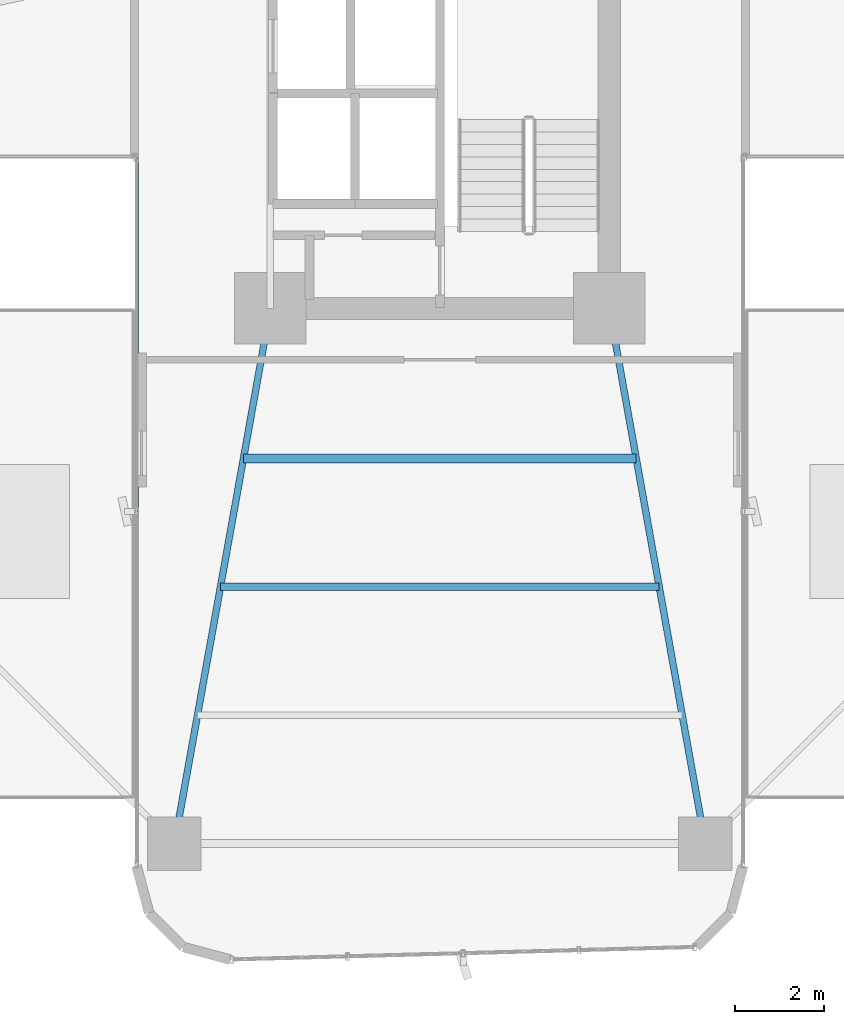
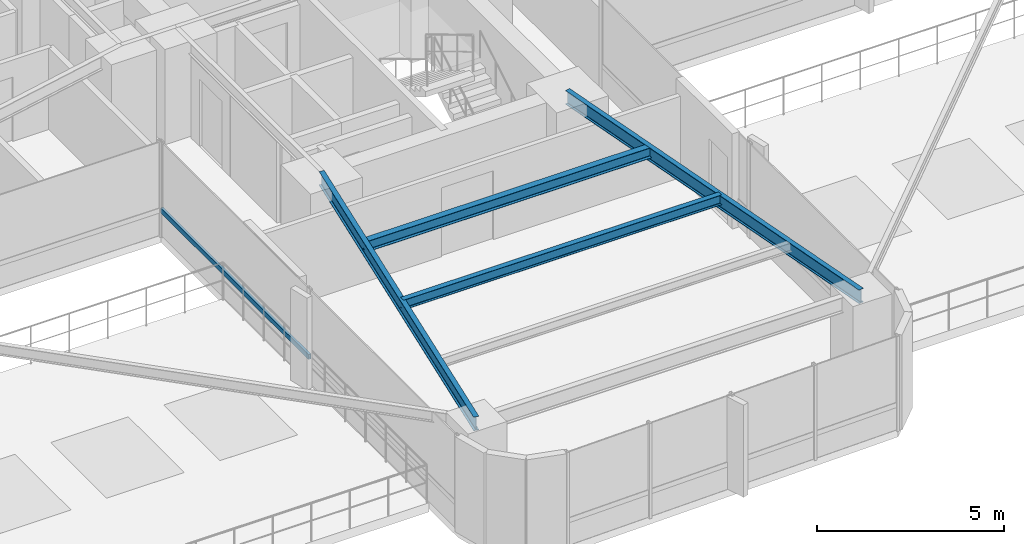
# One storey, part 3 of 27: 4 beams, 1 member, 1 element without a shape of its own.
"""IFC4 building model written with IfcOpenShell, lengths in metres."""

from ifc_helpers import new_model, si_unit, direction, frame, origin, origin_2d, place, context, subcontext, project, spatial, hollow_rectangle, i_section, extrude, source, transform, mapped, material, material_profile, profile_set, type_object, element, aggregate, save


model = new_model("IFC4")

# Units and contexts
model_context = context("Model", 3, precision=1e-05, world=origin(), true_north=direction((0.0, 1.0)))
body_context = subcontext(model_context, "Body", "Model", "MODEL_VIEW")
ifc_project = project(units=[si_unit("LENGTHUNIT", "METRE"), si_unit("AREAUNIT", "SQUARE_METRE"), si_unit("VOLUMEUNIT", "CUBIC_METRE"), si_unit("PLANEANGLEUNIT", "RADIAN"), si_unit("MASSUNIT", "GRAM", prefix="KILO")], contexts=[model_context])

# Site, building, storey
site_placement = place(None, origin())
site = spatial("IfcSite", under=ifc_project, at=site_placement, CompositionType="ELEMENT")
building_placement = place(site_placement, origin())
building = spatial("IfcBuilding", under=site, at=building_placement, Name="Sahyath Konkavel Grand Hotel", CompositionType="ELEMENT")
storey_placement = place(building_placement, frame((0.0, 0.0, 23.10009765625)))
storey = spatial("IfcBuildingStorey", under=building, at=storey_placement, Name="L05", CompositionType="ELEMENT", Elevation=23.10009765625)

# Beams
ifc_material_1 = material(Name="Steel E350", Category="steel")
ifc_material_profile_1 = material_profile(ifc_material_1, i_section(OverallWidth=0.14990234375, OverallDepth=0.449951171875, WebThickness=0.009521484375, FlangeThickness=0.017333984375, FilletRadius=0.014892578125, at=origin_2d()), Name="ISMB 450")
ifc_profile_set_1 = profile_set([ifc_material_profile_1], Name="Steel E350")
beam_type_1 = type_object("IfcBeamType", Name="BM-ISMB450", PredefinedType="BEAM", material=ifc_profile_set_1)
shared_shape_1 = source(origin(), body_context, "Body", "SweptSolid", [
    extrude(i_section(OverallWidth=0.14990234375, OverallDepth=0.449951171875, WebThickness=0.009521484375, FlangeThickness=0.017333984375, FilletRadius=0.014892578125, at=origin_2d()), origin(), (0.0, 0.0, 1.0), 12.191162109375),
])
for number, where, z_axis, x_axis, name in (
    (1, (-3.800048828125, -10.199951171875, 2.885009765625), (-0.176350650305, -0.984327409014, 0.0), (0.984327409014, -0.176350650305, 0.0), "L05 Cruciform Radial Girder SA"),
    (2, (3.800048828125, -10.199951171875, 2.885009765625), (0.176350650305, -0.984327409014, 0.0), (0.984327409014, 0.176350650305, 0.0), "L05 Cruciform Radial Girder SB"),
):
    element("IfcBeam", number, at=place(storey_placement, frame(where, z_axis=z_axis, x_axis=x_axis)), inside=storey, type_object=beam_type_1, Name=name, PredefinedType="BEAM", context=body_context, shape_type="MappedRepresentation", body=[
        mapped(shared_shape_1, transform((0.0, 0.0, 0.0), scale=1.0)),
    ])
ifc_material_profile_2 = material_profile(ifc_material_1, i_section(OverallWidth=0.199951171875, OverallDepth=0.35009765625, WebThickness=0.008056640625, FlangeThickness=0.011474609375, FilletRadius=0.013916015625, at=origin_2d()), Name="ISWB 350")
ifc_profile_set_2 = profile_set([ifc_material_profile_2], Name="Steel E350")
beam_type_2 = type_object("IfcBeamType", Name="BM-ISWB350", PredefinedType="BEAM", material=ifc_profile_set_2)
shared_shape_2 = source(origin(), body_context, "Body", "SweptSolid", [
    extrude(i_section(OverallWidth=0.199951171875, OverallDepth=0.35009765625, WebThickness=0.008056640625, FlangeThickness=0.011474609375, FilletRadius=0.013916015625, at=origin_2d()), origin(), (0.0, 0.0, 1.0), 8.80419921875),
])
beam_1_placement = place(storey_placement, frame((-4.402099609375, -13.56005859375, 2.934814453125), z_axis=(1.0, 0.0, 0.0), x_axis=(0.0, 1.0, 0.0)))
element("IfcBeam", 3, at=beam_1_placement, inside=storey, type_object=beam_type_2, Name="L05 Secondary Floor Beam S-1", PredefinedType="BEAM", context=body_context, shape_type="MappedRepresentation", body=[
    mapped(shared_shape_2, transform((0.0, 0.0, 0.0), scale=1.0)),
])
ifc_material_profile_3 = material_profile(ifc_material_1, i_section(OverallWidth=0.1650390625, OverallDepth=0.324951171875, WebThickness=0.007080078125, FlangeThickness=0.009765625, FilletRadius=0.014892578125, at=origin_2d()), Name="ISLB 325")
ifc_profile_set_3 = profile_set([ifc_material_profile_3], Name="Steel E350")
beam_type_3 = type_object("IfcBeamType", Name="BM-ISLB325", PredefinedType="BEAM", material=ifc_profile_set_3)
shared_shape_3 = source(origin(), body_context, "Body", "SweptSolid", [
    extrude(i_section(OverallWidth=0.1650390625, OverallDepth=0.324951171875, WebThickness=0.007080078125, FlangeThickness=0.009765625, FilletRadius=0.014892578125, at=origin_2d()), origin(), (0.0, 0.0, 1.0), 9.8359375),
])
beam_2_placement = place(storey_placement, frame((-4.91796875, -16.43994140625, 2.947509765625), z_axis=(1.0, 0.0, 0.0), x_axis=(0.0, 1.0, 0.0)))
element("IfcBeam", 4, at=beam_2_placement, inside=storey, type_object=beam_type_3, Name="L05 Secondary Floor Beam S-2", PredefinedType="BEAM", context=body_context, shape_type="MappedRepresentation", body=[
    mapped(shared_shape_3, transform((0.0, 0.0, 0.0), scale=1.0)),
])

# Curtain wall, member
ifc_material_2 = material(Name="Anodised Bronze Aluminium & Low-E Glazing", Category="aluminium")
curtain_wall_type = type_object("IfcCurtainWallType", Name="CW-ZONE1", PredefinedType="NOTDEFINED", material=ifc_material_2)
curtain_wall_placement = place(storey_placement, origin())
curtain_wall = element("IfcCurtainWall", 5, at=curtain_wall_placement, inside=storey, type_object=curtain_wall_type, Name="L05 Unitised Curtain Wall F24", PredefinedType="NOTDEFINED")
ifc_material_3 = material(Name="Anodised Bronze Aluminium", Category="aluminium")
ifc_material_profile_4 = material_profile(ifc_material_3, hollow_rectangle(XDim=0.080078125, YDim=0.159912109375, WallThickness=0.006103515625, at=origin_2d()), Name="RHS 160x80x6")
ifc_profile_set_4 = profile_set([ifc_material_profile_4], Name="Anodised Bronze Aluminium")
member_type = type_object("IfcMemberType", Name="CW-TRN-160", PredefinedType="USERDEFINED", material=ifc_profile_set_4)
shared_shape_4 = source(origin(), body_context, "Body", "SweptSolid", [
    extrude(hollow_rectangle(XDim=0.080078125, YDim=0.159912109375, WallThickness=0.006103515625, at=origin_2d()), origin(), (0.0, 0.0, 1.0), 7.909912109375),
])
member_placement = place(storey_placement, frame((-6.800048828125, -6.840087890625, 0.849853515625), z_axis=(0.0, -1.0, 0.0), x_axis=(1.0, 0.0, 0.0)))
member = element("IfcMember", 6, at=member_placement, type_object=member_type, Name="L05 Curtain Wall Transom F24-0-spandrel", ObjectType="TRANSOM", PredefinedType="USERDEFINED", context=body_context, shape_type="MappedRepresentation", body=[
    mapped(shared_shape_4, transform((0.0, 0.0, 0.0), scale=1.0)),
])
aggregate(curtain_wall, [member])

save(model, "model.ifc")
